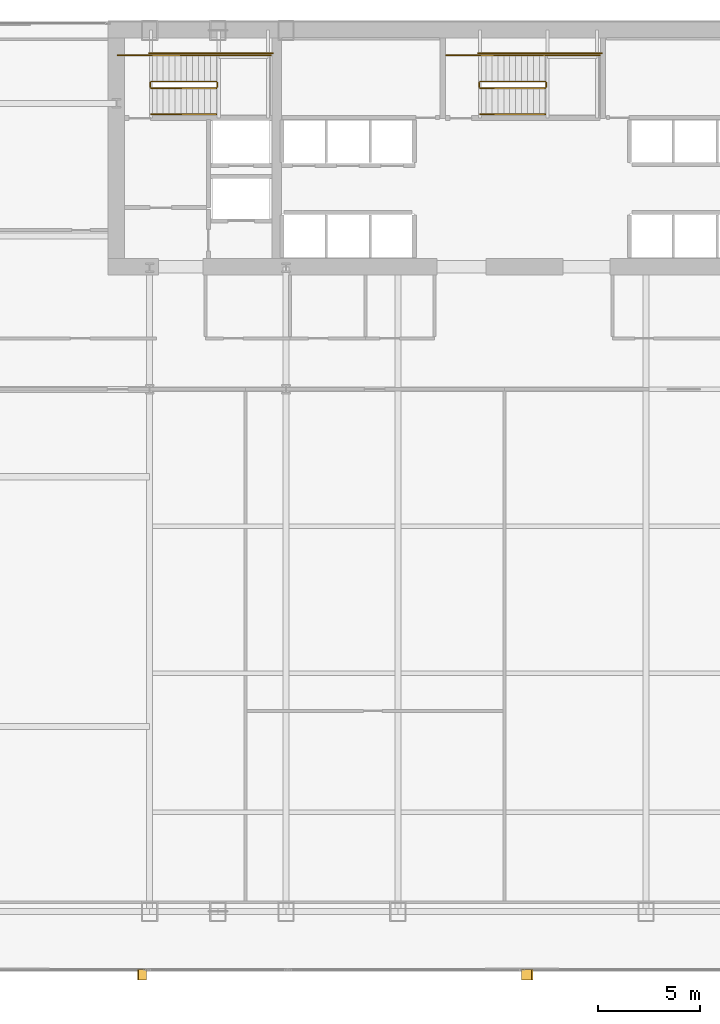
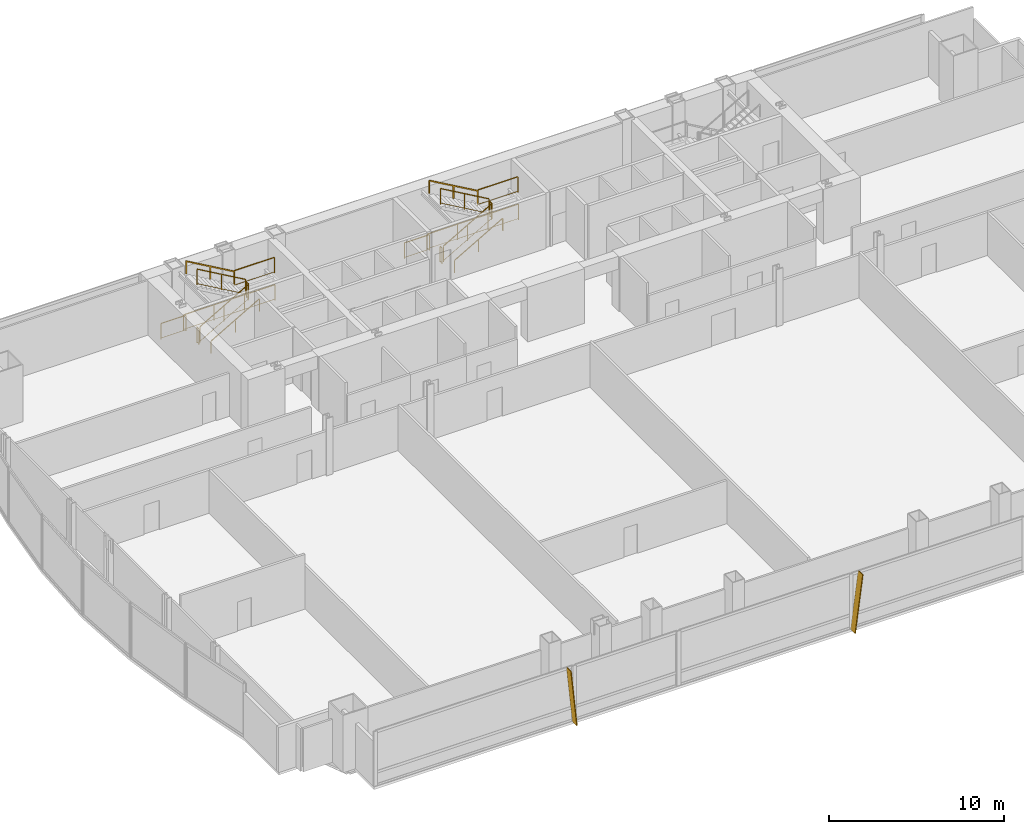
# One storey, part 35 of 37: 18 railings, 2 shading devices.
"""IFC4 building model written with IfcOpenShell, lengths in metres."""

from ifc_helpers import new_model, si_unit, direction, frame, origin, origin_2d, place, context, subcontext, project, spatial, polyline, rectangle, outline, extrude, material, layer, layer_set, type_object, element, save


model = new_model("IFC4")

# Units and contexts
model_context = context("Model", 3, precision=1e-05, world=origin(), true_north=direction((0.0, 1.0)))
body_context = subcontext(model_context, "Body", "Model", "MODEL_VIEW")
ifc_project = project(units=[si_unit("LENGTHUNIT", "METRE"), si_unit("AREAUNIT", "SQUARE_METRE"), si_unit("VOLUMEUNIT", "CUBIC_METRE"), si_unit("PLANEANGLEUNIT", "RADIAN"), si_unit("MASSUNIT", "GRAM", prefix="KILO")], contexts=[model_context])

# Site, building, storey
site_placement = place(None, origin())
site = spatial("IfcSite", under=ifc_project, at=site_placement, CompositionType="ELEMENT")
building_placement = place(site_placement, origin())
building = spatial("IfcBuilding", under=site, at=building_placement, Name="Khoronbel Lancet Exchange", CompositionType="ELEMENT")
storey_placement = place(building_placement, frame((0.0, 0.0, 45.800048828125)))
storey = spatial("IfcBuildingStorey", under=building, at=storey_placement, Name="L10", CompositionType="ELEMENT", Elevation=45.800048828125)

# Railings
ifc_material_1 = material(Name="Painted Steel Balustrade", Category="steel")
railing_type_1 = type_object("IfcRailingType", Name="RL-STG110", PredefinedType="GUARDRAIL", material=ifc_material_1)
railing_1_placement = place(storey_placement, frame((18.300048828125, 50.449951171875, 0.16650390625)))
element("IfcRailing", 1, at=railing_1_placement, inside=storey, type_object=railing_type_1, Name="L10 ST1 stair guard 1", PredefinedType="GUARDRAIL", context=body_context, shape_type="SweptSolid", body=[
    extrude(rectangle(XDim=0.048095703125, YDim=0.048095703125, at=origin_2d()), frame((0.0, 0.0, 1.09619140625), z_axis=(0.86699087805, 0.0, 0.498324008431), x_axis=(0.0, 1.0, 0.0)), (0.0, 0.0, 1.0), 3.679443359375),
    extrude(rectangle(XDim=0.02392578125, YDim=0.02392578125, at=origin_2d()), frame((0.0, 0.0, 0.080078125), z_axis=(0.86699087805, 0.0, 0.498324008431), x_axis=(0.0, 1.0, 0.0)), (0.0, 0.0, 1.0), 3.679443359375),
    extrude(rectangle(XDim=0.0419921875, YDim=0.0419921875, at=origin_2d()), origin(), (0.0, 0.0, 1.0), 1.072021484375),
    extrude(rectangle(XDim=0.0419921875, YDim=0.0419921875, at=origin_2d()), frame((1.594970703125, 0.0, 0.916748046875)), (0.0, 0.0, 1.0), 1.072021484375),
    extrude(rectangle(XDim=0.0419921875, YDim=0.0419921875, at=origin_2d()), frame((3.18994140625, 0.0, 1.83349609375)), (0.0, 0.0, 1.0), 1.072021484375),
])
railing_2_placement = place(storey_placement, frame((21.5400390625, 50.5, 2.0)))
element("IfcRailing", 2, at=railing_2_placement, inside=storey, type_object=railing_type_1, Name="L10 ST1 stair guard 2", PredefinedType="GUARDRAIL", context=body_context, shape_type="SweptSolid", body=[
    extrude(rectangle(XDim=0.048095703125, YDim=0.048095703125, at=origin_2d()), frame((0.0, 0.0, 1.09619140625), z_axis=(0.0, 1.0, 0.0), x_axis=(-1.0, 0.0, 0.0)), (0.0, 0.0, 1.0), 0.219970703125),
    extrude(rectangle(XDim=0.02392578125, YDim=0.02392578125, at=origin_2d()), frame((0.0, 0.0, 0.080078125), z_axis=(0.0, 1.0, 0.0), x_axis=(-1.0, 0.0, 0.0)), (0.0, 0.0, 1.0), 0.219970703125),
    extrude(rectangle(XDim=0.0419921875, YDim=0.0419921875, at=origin_2d()), origin(), (0.0, 0.0, 1.0), 1.072021484375),
    extrude(rectangle(XDim=0.0419921875, YDim=0.0419921875, at=origin_2d()), frame((0.0, 0.219970703125, 0.0)), (0.0, 0.0, 1.0), 1.072021484375),
])
railing_3_placement = place(storey_placement, frame((21.489990234375, 52.050048828125, 2.0)))
element("IfcRailing", 3, at=railing_3_placement, inside=storey, type_object=railing_type_1, Name="L10 ST1 stair guard 3", PredefinedType="GUARDRAIL", context=body_context, shape_type="SweptSolid", body=[
    extrude(rectangle(XDim=0.048095703125, YDim=0.048095703125, at=origin_2d()), frame((0.0, 0.0, 1.09619140625), z_axis=(1.0, 0.0, 0.0), x_axis=(0.0, 1.0, 0.0)), (0.0, 0.0, 1.0), 2.659912109375),
    extrude(rectangle(XDim=0.02392578125, YDim=0.02392578125, at=origin_2d()), frame((0.0, 0.0, 0.080078125), z_axis=(1.0, 0.0, 0.0), x_axis=(0.0, 1.0, 0.0)), (0.0, 0.0, 1.0), 2.659912109375),
    extrude(rectangle(XDim=0.0419921875, YDim=0.0419921875, at=origin_2d()), origin(), (0.0, 0.0, 1.0), 1.072021484375),
    extrude(rectangle(XDim=0.0419921875, YDim=0.0419921875, at=origin_2d()), frame((2.659912109375, 0.0, 0.0)), (0.0, 0.0, 1.0), 1.072021484375),
])
railing_4_placement = place(storey_placement, frame((21.489990234375, 50.77001953125, 2.16650390625)))
element("IfcRailing", 4, at=railing_4_placement, inside=storey, type_object=railing_type_1, Name="L10 ST1 stair guard 4", PredefinedType="GUARDRAIL", context=body_context, shape_type="SweptSolid", body=[
    extrude(rectangle(XDim=0.048095703125, YDim=0.048095703125, at=origin_2d()), frame((0.0, 0.0, 1.09619140625), z_axis=(-0.86699087805, 0.0, 0.498324008431), x_axis=(0.0, -1.0, 0.0)), (0.0, 0.0, 1.0), 3.679443359375),
    extrude(rectangle(XDim=0.02392578125, YDim=0.02392578125, at=origin_2d()), frame((0.0, 0.0, 0.080078125), z_axis=(-0.86699087805, 0.0, 0.498324008431), x_axis=(0.0, -1.0, 0.0)), (0.0, 0.0, 1.0), 3.679443359375),
    extrude(rectangle(XDim=0.0419921875, YDim=0.0419921875, at=origin_2d()), origin(), (0.0, 0.0, 1.0), 1.072021484375),
    extrude(rectangle(XDim=0.0419921875, YDim=0.0419921875, at=origin_2d()), frame((-1.594970703125, 0.0, 0.916748046875)), (0.0, 0.0, 1.0), 1.072021484375),
    extrude(rectangle(XDim=0.0419921875, YDim=0.0419921875, at=origin_2d()), frame((-3.18994140625, 0.0, 1.83349609375)), (0.0, 0.0, 1.0), 1.072021484375),
])
railing_5_placement = place(storey_placement, frame((18.25, 50.5, 0.0)))
element("IfcRailing", 5, at=railing_5_placement, inside=storey, type_object=railing_type_1, Name="L10 ST1 stair guard 5", PredefinedType="GUARDRAIL", context=body_context, shape_type="SweptSolid", body=[
    extrude(rectangle(XDim=0.048095703125, YDim=0.048095703125, at=origin_2d()), frame((0.0, 0.0, 1.09619140625), z_axis=(0.0, 1.0, 0.0), x_axis=(-1.0, 0.0, 0.0)), (0.0, 0.0, 1.0), 0.219970703125),
    extrude(rectangle(XDim=0.02392578125, YDim=0.02392578125, at=origin_2d()), frame((0.0, 0.0, 0.080078125), z_axis=(0.0, 1.0, 0.0), x_axis=(-1.0, 0.0, 0.0)), (0.0, 0.0, 1.0), 0.219970703125),
    extrude(rectangle(XDim=0.0419921875, YDim=0.0419921875, at=origin_2d()), origin(), (0.0, 0.0, 1.0), 1.072021484375),
    extrude(rectangle(XDim=0.0419921875, YDim=0.0419921875, at=origin_2d()), frame((0.0, 0.219970703125, 0.0)), (0.0, 0.0, 1.0), 1.072021484375),
])
railing_6_placement = place(storey_placement, frame((16.64990234375, 52.050048828125, 0.0)))
element("IfcRailing", 6, at=railing_6_placement, inside=storey, type_object=railing_type_1, Name="L10 ST1 stair guard 6", PredefinedType="GUARDRAIL", context=body_context, shape_type="SweptSolid", body=[
    extrude(rectangle(XDim=0.048095703125, YDim=0.048095703125, at=origin_2d()), frame((0.0, 0.0, 1.09619140625), z_axis=(1.0, 0.0, 0.0), x_axis=(0.0, 1.0, 0.0)), (0.0, 0.0, 1.0), 1.650146484375),
    extrude(rectangle(XDim=0.02392578125, YDim=0.02392578125, at=origin_2d()), frame((0.0, 0.0, 0.080078125), z_axis=(1.0, 0.0, 0.0), x_axis=(0.0, 1.0, 0.0)), (0.0, 0.0, 1.0), 1.650146484375),
    extrude(rectangle(XDim=0.0419921875, YDim=0.0419921875, at=origin_2d()), origin(), (0.0, 0.0, 1.0), 1.072021484375),
    extrude(rectangle(XDim=0.0419921875, YDim=0.0419921875, at=origin_2d()), frame((1.650146484375, 0.0, 0.0)), (0.0, 0.0, 1.0), 1.072021484375),
])
railing_7_placement = place(storey_placement, frame((18.199951171875, 52.14990234375, 0.0)))
element("IfcRailing", 7, at=railing_7_placement, inside=storey, type_object=railing_type_1, Name="L10 ST1 stair guard 7", PredefinedType="GUARDRAIL", context=body_context, shape_type="SweptSolid", body=[
    extrude(rectangle(XDim=0.048095703125, YDim=0.048095703125, at=origin_2d()), frame((0.0, 0.0, 1.09619140625), z_axis=(1.0, 0.0, 0.0), x_axis=(0.0, 1.0, 0.0)), (0.0, 0.0, 1.0), 6.050048828125),
    extrude(rectangle(XDim=0.02392578125, YDim=0.02392578125, at=origin_2d()), frame((0.0, 0.0, 0.080078125), z_axis=(1.0, 0.0, 0.0), x_axis=(0.0, 1.0, 0.0)), (0.0, 0.0, 1.0), 6.050048828125),
    extrude(rectangle(XDim=0.0419921875, YDim=0.0419921875, at=origin_2d()), origin(), (0.0, 0.0, 1.0), 1.072021484375),
    extrude(rectangle(XDim=0.0419921875, YDim=0.0419921875, at=origin_2d()), frame((2.0166015625, 0.0, 0.0)), (0.0, 0.0, 1.0), 1.072021484375),
    extrude(rectangle(XDim=0.0419921875, YDim=0.0419921875, at=origin_2d()), frame((4.033447265625, 0.0, 0.0)), (0.0, 0.0, 1.0), 1.072021484375),
    extrude(rectangle(XDim=0.0419921875, YDim=0.0419921875, at=origin_2d()), frame((6.050048828125, 0.0, 0.0)), (0.0, 0.0, 1.0), 1.072021484375),
])
railing_8_placement = place(storey_placement, frame((34.39990234375, 50.449951171875, 0.16650390625)))
element("IfcRailing", 8, at=railing_8_placement, inside=storey, type_object=railing_type_1, Name="L10 ST3 stair guard 1", PredefinedType="GUARDRAIL", context=body_context, shape_type="SweptSolid", body=[
    extrude(rectangle(XDim=0.048095703125, YDim=0.048095703125, at=origin_2d()), frame((0.0, 0.0, 1.09619140625), z_axis=(0.867007354286, 0.0, 0.498295341753), x_axis=(0.0, 1.0, 0.0)), (0.0, 0.0, 1.0), 3.679443359375),
    extrude(rectangle(XDim=0.02392578125, YDim=0.02392578125, at=origin_2d()), frame((0.0, 0.0, 0.080078125), z_axis=(0.867007354286, 0.0, 0.498295341753), x_axis=(0.0, 1.0, 0.0)), (0.0, 0.0, 1.0), 3.679443359375),
    extrude(rectangle(XDim=0.0419921875, YDim=0.0419921875, at=origin_2d()), origin(), (0.0, 0.0, 1.0), 1.072021484375),
    extrude(rectangle(XDim=0.0419921875, YDim=0.0419921875, at=origin_2d()), frame((1.59521484375, 0.0, 0.916748046875)), (0.0, 0.0, 1.0), 1.072021484375),
    extrude(rectangle(XDim=0.0419921875, YDim=0.0419921875, at=origin_2d()), frame((3.190185546875, 0.0, 1.83349609375)), (0.0, 0.0, 1.0), 1.072021484375),
])
railing_9_placement = place(storey_placement, frame((37.639892578125, 50.5, 2.0)))
element("IfcRailing", 9, at=railing_9_placement, inside=storey, type_object=railing_type_1, Name="L10 ST3 stair guard 2", PredefinedType="GUARDRAIL", context=body_context, shape_type="SweptSolid", body=[
    extrude(rectangle(XDim=0.048095703125, YDim=0.048095703125, at=origin_2d()), frame((0.0, 0.0, 1.09619140625), z_axis=(0.0, 1.0, 0.0), x_axis=(-1.0, 0.0, 0.0)), (0.0, 0.0, 1.0), 0.219970703125),
    extrude(rectangle(XDim=0.02392578125, YDim=0.02392578125, at=origin_2d()), frame((0.0, 0.0, 0.080078125), z_axis=(0.0, 1.0, 0.0), x_axis=(-1.0, 0.0, 0.0)), (0.0, 0.0, 1.0), 0.219970703125),
    extrude(rectangle(XDim=0.0419921875, YDim=0.0419921875, at=origin_2d()), origin(), (0.0, 0.0, 1.0), 1.072021484375),
    extrude(rectangle(XDim=0.0419921875, YDim=0.0419921875, at=origin_2d()), frame((0.0, 0.219970703125, 0.0)), (0.0, 0.0, 1.0), 1.072021484375),
])
railing_10_placement = place(storey_placement, frame((37.590087890625, 52.050048828125, 2.0)))
element("IfcRailing", 10, at=railing_10_placement, inside=storey, type_object=railing_type_1, Name="L10 ST3 stair guard 3", PredefinedType="GUARDRAIL", context=body_context, shape_type="SweptSolid", body=[
    extrude(rectangle(XDim=0.048095703125, YDim=0.048095703125, at=origin_2d()), frame((0.0, 0.0, 1.09619140625), z_axis=(1.0, 0.0, 0.0), x_axis=(0.0, 1.0, 0.0)), (0.0, 0.0, 1.0), 2.659912109375),
    extrude(rectangle(XDim=0.02392578125, YDim=0.02392578125, at=origin_2d()), frame((0.0, 0.0, 0.080078125), z_axis=(1.0, 0.0, 0.0), x_axis=(0.0, 1.0, 0.0)), (0.0, 0.0, 1.0), 2.659912109375),
    extrude(rectangle(XDim=0.0419921875, YDim=0.0419921875, at=origin_2d()), origin(), (0.0, 0.0, 1.0), 1.072021484375),
    extrude(rectangle(XDim=0.0419921875, YDim=0.0419921875, at=origin_2d()), frame((2.659912109375, 0.0, 0.0)), (0.0, 0.0, 1.0), 1.072021484375),
])
railing_11_placement = place(storey_placement, frame((37.590087890625, 50.77001953125, 2.16650390625)))
element("IfcRailing", 11, at=railing_11_placement, inside=storey, type_object=railing_type_1, Name="L10 ST3 stair guard 4", PredefinedType="GUARDRAIL", context=body_context, shape_type="SweptSolid", body=[
    extrude(rectangle(XDim=0.048095703125, YDim=0.048095703125, at=origin_2d()), frame((0.0, 0.0, 1.09619140625), z_axis=(-0.867007354286, 0.0, 0.498295341753), x_axis=(0.0, -1.0, 0.0)), (0.0, 0.0, 1.0), 3.679443359375),
    extrude(rectangle(XDim=0.02392578125, YDim=0.02392578125, at=origin_2d()), frame((0.0, 0.0, 0.080078125), z_axis=(-0.867007354286, 0.0, 0.498295341753), x_axis=(0.0, -1.0, 0.0)), (0.0, 0.0, 1.0), 3.679443359375),
    extrude(rectangle(XDim=0.0419921875, YDim=0.0419921875, at=origin_2d()), origin(), (0.0, 0.0, 1.0), 1.072021484375),
    extrude(rectangle(XDim=0.0419921875, YDim=0.0419921875, at=origin_2d()), frame((-1.59521484375, 0.0, 0.916748046875)), (0.0, 0.0, 1.0), 1.072021484375),
    extrude(rectangle(XDim=0.0419921875, YDim=0.0419921875, at=origin_2d()), frame((-3.190185546875, 0.0, 1.83349609375)), (0.0, 0.0, 1.0), 1.072021484375),
])
railing_12_placement = place(storey_placement, frame((34.35009765625, 50.5, 0.0)))
element("IfcRailing", 12, at=railing_12_placement, inside=storey, type_object=railing_type_1, Name="L10 ST3 stair guard 5", PredefinedType="GUARDRAIL", context=body_context, shape_type="SweptSolid", body=[
    extrude(rectangle(XDim=0.048095703125, YDim=0.048095703125, at=origin_2d()), frame((0.0, 0.0, 1.09619140625), z_axis=(0.0, 1.0, 0.0), x_axis=(-1.0, 0.0, 0.0)), (0.0, 0.0, 1.0), 0.219970703125),
    extrude(rectangle(XDim=0.02392578125, YDim=0.02392578125, at=origin_2d()), frame((0.0, 0.0, 0.080078125), z_axis=(0.0, 1.0, 0.0), x_axis=(-1.0, 0.0, 0.0)), (0.0, 0.0, 1.0), 0.219970703125),
    extrude(rectangle(XDim=0.0419921875, YDim=0.0419921875, at=origin_2d()), origin(), (0.0, 0.0, 1.0), 1.072021484375),
    extrude(rectangle(XDim=0.0419921875, YDim=0.0419921875, at=origin_2d()), frame((0.0, 0.219970703125, 0.0)), (0.0, 0.0, 1.0), 1.072021484375),
])
railing_13_placement = place(storey_placement, frame((32.75, 52.050048828125, 0.0)))
element("IfcRailing", 13, at=railing_13_placement, inside=storey, type_object=railing_type_1, Name="L10 ST3 stair guard 6", PredefinedType="GUARDRAIL", context=body_context, shape_type="SweptSolid", body=[
    extrude(rectangle(XDim=0.048095703125, YDim=0.048095703125, at=origin_2d()), frame((0.0, 0.0, 1.09619140625), z_axis=(1.0, 0.0, 0.0), x_axis=(0.0, 1.0, 0.0)), (0.0, 0.0, 1.0), 1.64990234375),
    extrude(rectangle(XDim=0.02392578125, YDim=0.02392578125, at=origin_2d()), frame((0.0, 0.0, 0.080078125), z_axis=(1.0, 0.0, 0.0), x_axis=(0.0, 1.0, 0.0)), (0.0, 0.0, 1.0), 1.64990234375),
    extrude(rectangle(XDim=0.0419921875, YDim=0.0419921875, at=origin_2d()), origin(), (0.0, 0.0, 1.0), 1.072021484375),
    extrude(rectangle(XDim=0.0419921875, YDim=0.0419921875, at=origin_2d()), frame((1.64990234375, 0.0, 0.0)), (0.0, 0.0, 1.0), 1.072021484375),
])
railing_14_placement = place(storey_placement, frame((34.300048828125, 52.14990234375, 0.0)))
element("IfcRailing", 14, at=railing_14_placement, inside=storey, type_object=railing_type_1, Name="L10 ST3 stair guard 7", PredefinedType="GUARDRAIL", context=body_context, shape_type="SweptSolid", body=[
    extrude(rectangle(XDim=0.048095703125, YDim=0.048095703125, at=origin_2d()), frame((0.0, 0.0, 1.09619140625), z_axis=(1.0, 0.0, 0.0), x_axis=(0.0, 1.0, 0.0)), (0.0, 0.0, 1.0), 6.050048828125),
    extrude(rectangle(XDim=0.02392578125, YDim=0.02392578125, at=origin_2d()), frame((0.0, 0.0, 0.080078125), z_axis=(1.0, 0.0, 0.0), x_axis=(0.0, 1.0, 0.0)), (0.0, 0.0, 1.0), 6.050048828125),
    extrude(rectangle(XDim=0.0419921875, YDim=0.0419921875, at=origin_2d()), origin(), (0.0, 0.0, 1.0), 1.072021484375),
    extrude(rectangle(XDim=0.0419921875, YDim=0.0419921875, at=origin_2d()), frame((2.0166015625, 0.0, 0.0)), (0.0, 0.0, 1.0), 1.072021484375),
    extrude(rectangle(XDim=0.0419921875, YDim=0.0419921875, at=origin_2d()), frame((4.033447265625, 0.0, 0.0)), (0.0, 0.0, 1.0), 1.072021484375),
    extrude(rectangle(XDim=0.0419921875, YDim=0.0419921875, at=origin_2d()), frame((6.050048828125, 0.0, 0.0)), (0.0, 0.0, 1.0), 1.072021484375),
])
ifc_material_2 = material(Name="Brushed Stainless Steel 316", Category="steel")
railing_type_2 = type_object("IfcRailingType", Name="RL-STH92", PredefinedType="HANDRAIL", material=ifc_material_2)
railing_15_placement = place(storey_placement, frame((18.300048828125, 49.169921875, 0.16650390625)))
element("IfcRailing", 15, at=railing_15_placement, inside=storey, type_object=railing_type_2, Name="L10 ST1 stair handrail 1", PredefinedType="HANDRAIL", context=body_context, shape_type="SweptSolid", body=[
    extrude(rectangle(XDim=0.048095703125, YDim=0.048095703125, at=origin_2d()), frame((0.0, 0.0, 0.8759765625), z_axis=(0.86699087805, 0.0, 0.498324008431), x_axis=(0.0, 1.0, 0.0)), (0.0, 0.0, 1.0), 3.679443359375),
    extrude(rectangle(XDim=0.0419921875, YDim=0.0419921875, at=origin_2d()), origin(), (0.0, 0.0, 1.0), 0.851806640625),
    extrude(rectangle(XDim=0.0419921875, YDim=0.0419921875, at=origin_2d()), frame((1.594970703125, 0.0, 0.916748046875)), (0.0, 0.0, 1.0), 0.851806640625),
    extrude(rectangle(XDim=0.0419921875, YDim=0.0419921875, at=origin_2d()), frame((3.18994140625, 0.0, 1.83349609375)), (0.0, 0.0, 1.0), 0.851806640625),
])
railing_16_placement = place(storey_placement, frame((21.489990234375, 52.050048828125, 2.16650390625)))
element("IfcRailing", 16, at=railing_16_placement, inside=storey, type_object=railing_type_2, Name="L10 ST1 stair handrail 2", PredefinedType="HANDRAIL", context=body_context, shape_type="SweptSolid", body=[
    extrude(rectangle(XDim=0.048095703125, YDim=0.048095703125, at=origin_2d()), frame((0.0, 0.0, 0.8759765625), z_axis=(-0.86699087805, 0.0, 0.498324008431), x_axis=(0.0, -1.0, 0.0)), (0.0, 0.0, 1.0), 3.679443359375),
    extrude(rectangle(XDim=0.0419921875, YDim=0.0419921875, at=origin_2d()), origin(), (0.0, 0.0, 1.0), 0.851806640625),
    extrude(rectangle(XDim=0.0419921875, YDim=0.0419921875, at=origin_2d()), frame((-1.594970703125, 0.0, 0.916748046875)), (0.0, 0.0, 1.0), 0.851806640625),
    extrude(rectangle(XDim=0.0419921875, YDim=0.0419921875, at=origin_2d()), frame((-3.18994140625, 0.0, 1.83349609375)), (0.0, 0.0, 1.0), 0.851806640625),
])
railing_17_placement = place(storey_placement, frame((34.39990234375, 49.169921875, 0.16650390625)))
element("IfcRailing", 17, at=railing_17_placement, inside=storey, type_object=railing_type_2, Name="L10 ST3 stair handrail 1", PredefinedType="HANDRAIL", context=body_context, shape_type="SweptSolid", body=[
    extrude(rectangle(XDim=0.048095703125, YDim=0.048095703125, at=origin_2d()), frame((0.0, 0.0, 0.8759765625), z_axis=(0.867007354286, 0.0, 0.498295341753), x_axis=(0.0, 1.0, 0.0)), (0.0, 0.0, 1.0), 3.679443359375),
    extrude(rectangle(XDim=0.0419921875, YDim=0.0419921875, at=origin_2d()), origin(), (0.0, 0.0, 1.0), 0.851806640625),
    extrude(rectangle(XDim=0.0419921875, YDim=0.0419921875, at=origin_2d()), frame((1.59521484375, 0.0, 0.916748046875)), (0.0, 0.0, 1.0), 0.851806640625),
    extrude(rectangle(XDim=0.0419921875, YDim=0.0419921875, at=origin_2d()), frame((3.190185546875, 0.0, 1.83349609375)), (0.0, 0.0, 1.0), 0.851806640625),
])
railing_18_placement = place(storey_placement, frame((37.590087890625, 52.050048828125, 2.16650390625)))
element("IfcRailing", 18, at=railing_18_placement, inside=storey, type_object=railing_type_2, Name="L10 ST3 stair handrail 2", PredefinedType="HANDRAIL", context=body_context, shape_type="SweptSolid", body=[
    extrude(rectangle(XDim=0.048095703125, YDim=0.048095703125, at=origin_2d()), frame((0.0, 0.0, 0.8759765625), z_axis=(-0.867007354286, 0.0, 0.498295341753), x_axis=(0.0, -1.0, 0.0)), (0.0, 0.0, 1.0), 3.679443359375),
    extrude(rectangle(XDim=0.0419921875, YDim=0.0419921875, at=origin_2d()), origin(), (0.0, 0.0, 1.0), 0.851806640625),
    extrude(rectangle(XDim=0.0419921875, YDim=0.0419921875, at=origin_2d()), frame((-1.59521484375, 0.0, 0.916748046875)), (0.0, 0.0, 1.0), 0.851806640625),
    extrude(rectangle(XDim=0.0419921875, YDim=0.0419921875, at=origin_2d()), frame((-3.190185546875, 0.0, 1.83349609375)), (0.0, 0.0, 1.0), 0.851806640625),
])

# Shading devices
ifc_material_3 = material(Name="Bronze-Anodised Aluminium 6063-T6", Category="aluminium")
ifc_layer = layer(ifc_material_3, 0.054931640625, Name="Bronze-Anodised Aluminium 6063-T6")
ifc_layer_set = layer_set([ifc_layer], Name="Bronze-Anodised Aluminium 6063-T6")
shading_device_type = type_object("IfcShadingDeviceType", Name="SHD-FIN1", PredefinedType="USERDEFINED", material=ifc_layer_set)
shading_device_1_placement = place(storey_placement, frame((18.072509765625, 7.31005859375, -0.080078125), z_axis=(0.995011517869, 0.0, 0.099760108806), x_axis=(0.0, -1.0, 0.0)))
element("IfcShadingDevice", 19, at=shading_device_1_placement, inside=storey, type_object=shading_device_type, Name="Slanted bronze solar fin CW-L10-SWV-1", ObjectType="FIN", PredefinedType="USERDEFINED", context=body_context, shape_type="SweptSolid", body=[
    extrude(outline(polyline([(0.0, 0.0), (0.52001953125, 0.0), (0.52001953125, -3.959716796875), (0.0, -3.959716796875), (0.0, 0.0)])), origin(), (0.0, 0.0, -1.0), 0.054931640625),
])
shading_device_2_placement = place(storey_placement, frame((36.422607421875, 7.31005859375, -0.080078125), z_axis=(-0.991889216598, 0.0, 0.127105397195), x_axis=(0.0, -1.0, 0.0)))
element("IfcShadingDevice", 20, at=shading_device_2_placement, inside=storey, type_object=shading_device_type, Name="Slanted bronze solar fin CW-L10-SCV-1", ObjectType="FIN", PredefinedType="USERDEFINED", context=body_context, shape_type="SweptSolid", body=[
    extrude(outline(polyline([(0.0, 0.0), (0.52001953125, 0.0), (0.52001953125, 3.97216796875), (0.0, 3.97216796875), (0.0, 0.0)])), origin(), (0.0, 0.0, -1.0), 0.054931640625),
])

save(model, "model.ifc")
